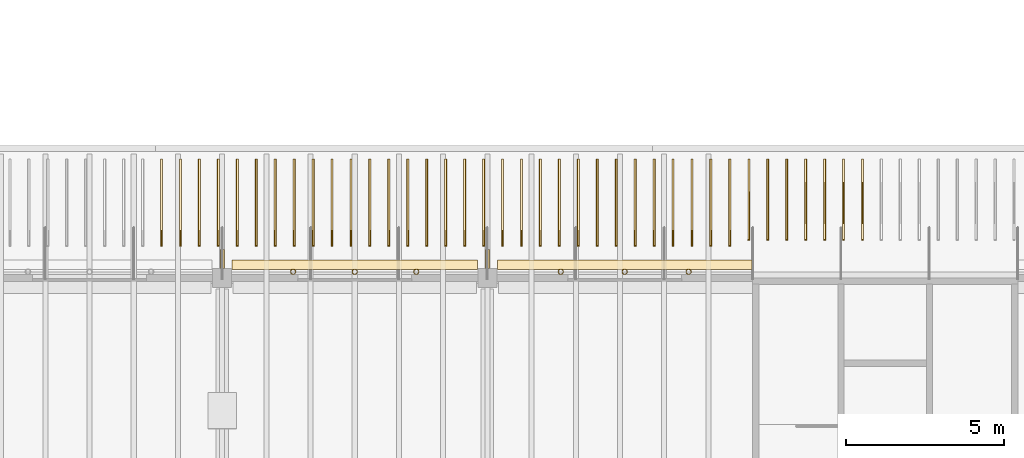
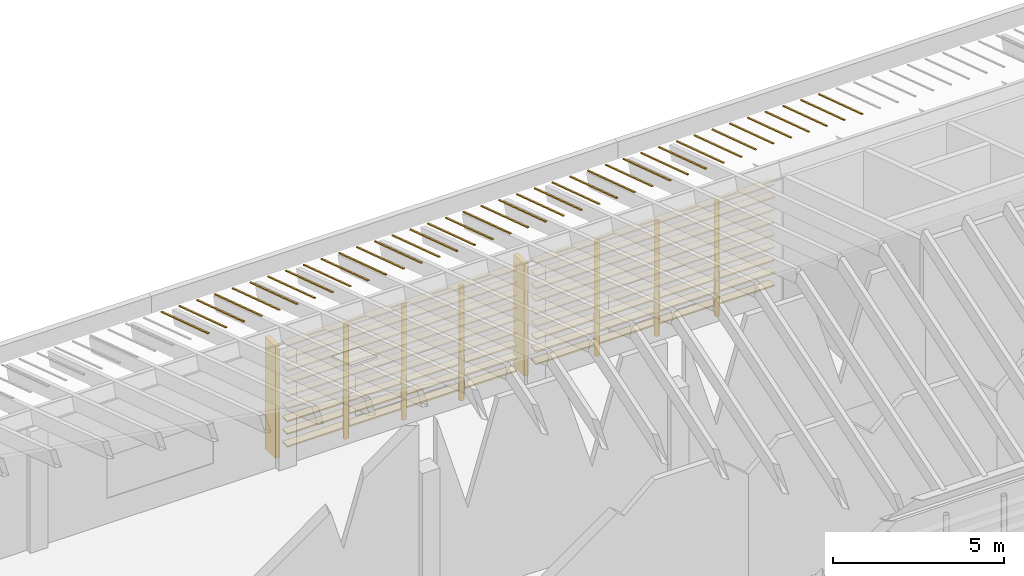
# One storey, part 42 of 59: 56 coverings, 8 shading devices.
"""IFC4 building model written with IfcOpenShell, lengths in metres."""

from ifc_helpers import new_model, si_unit, direction, frame, origin, origin_2d, place, context, subcontext, project, spatial, polyline, rectangle, hollow_circle, outline, extrude, material, layer, layer_set, material_profile, profile_set, type_object, element, save


model = new_model("IFC4")

# Units and contexts
model_context = context("Model", 3, precision=1e-05, world=origin(), true_north=direction((0.0, 1.0)))
body_context = subcontext(model_context, "Body", "Model", "MODEL_VIEW")
ifc_project = project(units=[si_unit("LENGTHUNIT", "METRE"), si_unit("AREAUNIT", "SQUARE_METRE"), si_unit("VOLUMEUNIT", "CUBIC_METRE"), si_unit("PLANEANGLEUNIT", "RADIAN"), si_unit("MASSUNIT", "GRAM", prefix="KILO")], contexts=[model_context])

# Site, building, storey
site_placement = place(None, origin())
site = spatial("IfcSite", under=ifc_project, at=site_placement, CompositionType="ELEMENT")
building_placement = place(site_placement, origin())
building = spatial("IfcBuilding", under=site, at=building_placement, Name="Almond Square Museum", CompositionType="ELEMENT")
storey_placement = place(building_placement, frame((0.0, 0.0, 25.0)))
storey = spatial("IfcBuildingStorey", under=building, at=storey_placement, Name="L04", CompositionType="ELEMENT", Elevation=25.0)

# Shading devices
ifc_material_1 = material(Name="Structural steel S355", Category="steel")
ifc_material_profile_1 = material_profile(ifc_material_1, hollow_circle(Radius=0.084228515625, WallThickness=0.008056640625, at=origin_2d()))
ifc_profile_set_1 = profile_set([ifc_material_profile_1], Name="Structural steel S355")
shading_device_type_1 = type_object("IfcShadingDeviceType", Name="Louvre post CHS 168.3 x 8", PredefinedType="USERDEFINED", material=ifc_profile_set_1)
for number, where, z_axis, x_axis, name in (
    (1, (50.324951171875, 16.994140625, 0.0), (0.0, 0.0, 1.0), (1.0, 0.0, 0.0), "Louvre screen post"),
    (2, (52.35009765625, 16.994140625, 0.0), (0.0, 0.0, 1.0), (1.0, 0.0, 0.0), "Louvre screen post"),
    (3, (54.375, 16.994140625, 0.0), (0.0, 0.0, 1.0), (1.0, 0.0, 0.0), "Louvre screen post"),
    (4, (41.85009765625, 16.994140625, 0.0), (0.0, 0.0, 1.0), (1.0, 0.0, 0.0), "Louvre screen post"),
    (5, (43.800048828125, 16.994140625, 0.0), (0.0, 0.0, 1.0), (1.0, 0.0, 0.0), "Louvre screen post"),
    (6, (45.75, 16.994140625, 0.0), (0.0, 0.0, 1.0), (1.0, 0.0, 0.0), "Louvre screen post"),
):
    element("IfcShadingDevice", number, at=place(storey_placement, frame(where, z_axis=z_axis, x_axis=x_axis)), inside=storey, type_object=shading_device_type_1, Name=name, ObjectType="POST", PredefinedType="USERDEFINED", context=body_context, shape_type="SweptSolid", body=[
        extrude(hollow_circle(Radius=0.084228515625, WallThickness=0.008056640625, at=origin_2d()), origin(), (0.0, 0.0, 1.0), 4.08447265625),
    ])

# Coverings
ifc_material_2 = material(Name="Cedar timber louvre board", Category="wood")
ifc_material_profile_2 = material_profile(ifc_material_2, rectangle(XDim=0.300048828125, YDim=0.050048828125, at=origin_2d()))
ifc_profile_set_2 = profile_set([ifc_material_profile_2], Name="Cedar timber louvre board")
covering_type_1 = type_object("IfcCoveringType", Name="Louvre screen board 300 x 50", PredefinedType="CLADDING", material=ifc_profile_set_2)
for number, where, z_axis, x_axis, name in (
    (7, (48.320068359375, 17.224365234375, 0.300048828125), (1.0, 0.0, 0.0), (0.0, 1.0, 0.0), "Louvre screen board"),
    (8, (48.320068359375, 17.224365234375, 0.75), (1.0, 0.0, 0.0), (0.0, 1.0, 0.0), "Louvre screen board"),
    (9, (48.320068359375, 17.224365234375, 1.199951171875), (1.0, 0.0, 0.0), (0.0, 1.0, 0.0), "Louvre screen board"),
    (10, (48.320068359375, 17.224365234375, 1.64990234375), (1.0, 0.0, 0.0), (0.0, 1.0, 0.0), "Louvre screen board"),
    (11, (48.320068359375, 17.224365234375, 2.10009765625), (1.0, 0.0, 0.0), (0.0, 1.0, 0.0), "Louvre screen board"),
    (12, (48.320068359375, 17.224365234375, 2.550048828125), (1.0, 0.0, 0.0), (0.0, 1.0, 0.0), "Louvre screen board"),
    (13, (48.320068359375, 17.224365234375, 3.0), (1.0, 0.0, 0.0), (0.0, 1.0, 0.0), "Louvre screen board"),
    (14, (48.320068359375, 17.224365234375, 3.449951171875), (1.0, 0.0, 0.0), (0.0, 1.0, 0.0), "Louvre screen board"),
    (15, (48.320068359375, 17.224365234375, 3.89990234375), (1.0, 0.0, 0.0), (0.0, 1.0, 0.0), "Louvre screen board"),
):
    element("IfcCovering", number, at=place(storey_placement, frame(where, z_axis=z_axis, x_axis=x_axis)), inside=storey, type_object=covering_type_1, Name=name, PredefinedType="CLADDING", context=body_context, shape_type="SweptSolid", body=[
        extrude(rectangle(XDim=0.300048828125, YDim=0.050048828125, at=origin_2d()), origin(), (0.0, 0.0, 1.0), 8.059814453125),
    ])
for number, where, z_axis, x_axis, name in (
    (16, (39.919921875, 17.224365234375, 0.300048828125), (1.0, 0.0, 0.0), (0.0, 1.0, 0.0), "Louvre screen board"),
    (17, (39.919921875, 17.224365234375, 0.75), (1.0, 0.0, 0.0), (0.0, 1.0, 0.0), "Louvre screen board"),
    (18, (39.919921875, 17.224365234375, 1.199951171875), (1.0, 0.0, 0.0), (0.0, 1.0, 0.0), "Louvre screen board"),
    (19, (39.919921875, 17.224365234375, 1.64990234375), (1.0, 0.0, 0.0), (0.0, 1.0, 0.0), "Louvre screen board"),
    (20, (39.919921875, 17.224365234375, 2.10009765625), (1.0, 0.0, 0.0), (0.0, 1.0, 0.0), "Louvre screen board"),
    (21, (39.919921875, 17.224365234375, 2.550048828125), (1.0, 0.0, 0.0), (0.0, 1.0, 0.0), "Louvre screen board"),
    (22, (39.919921875, 17.224365234375, 3.0), (1.0, 0.0, 0.0), (0.0, 1.0, 0.0), "Louvre screen board"),
    (23, (39.919921875, 17.224365234375, 3.449951171875), (1.0, 0.0, 0.0), (0.0, 1.0, 0.0), "Louvre screen board"),
    (24, (39.919921875, 17.224365234375, 3.89990234375), (1.0, 0.0, 0.0), (0.0, 1.0, 0.0), "Louvre screen board"),
):
    element("IfcCovering", number, at=place(storey_placement, frame(where, z_axis=z_axis, x_axis=x_axis)), inside=storey, type_object=covering_type_1, Name=name, PredefinedType="CLADDING", context=body_context, shape_type="SweptSolid", body=[
        extrude(rectangle(XDim=0.300048828125, YDim=0.050048828125, at=origin_2d()), origin(), (0.0, 0.0, 1.0), 7.760009765625),
    ])
ifc_material_3 = material(Name="Zinc standing seam")
ifc_layer = layer(ifc_material_3, 0.0400390625)
ifc_layer_set = layer_set([ifc_layer], Name="Zinc standing seam")
covering_type_2 = type_object("IfcCoveringType", Name="Roof standing seam rib 60 x 40", PredefinedType="CLADDING", material=ifc_layer_set)
for number, where, z_axis, x_axis, name in (
    (25, (37.7099609375, 17.800048828125, 4.675048828125), (0.0, 0.309024978252, 0.951053922139), (0.0, 0.951053922139, -0.309024978252), "Roof standing seam rib"),
    (26, (38.31005859375, 17.800048828125, 4.675048828125), (0.0, 0.309024978252, 0.951053922139), (0.0, 0.951053922139, -0.309024978252), "Roof standing seam rib"),
):
    element("IfcCovering", number, at=place(storey_placement, frame(where, z_axis=z_axis, x_axis=x_axis)), inside=storey, type_object=covering_type_2, Name=name, PredefinedType="CLADDING", context=body_context, shape_type="SweptSolid", body=[
        extrude(outline(polyline([(0.0, 0.0), (2.891529003754454, 0.0), (2.891529003754454, 0.06005859375), (0.0, 0.06005859375), (0.0, 0.0)])), origin(), (0.0, 0.0, 1.0), 0.0400390625),
    ])
covering_1_placement = place(storey_placement, frame((38.909912109375, 17.800048828125, 4.675048828125), z_axis=(0.0, 0.309024978252, 0.951053922139), x_axis=(0.0, 0.951053922139, -0.309024978252)))
element("IfcCovering", 27, at=covering_1_placement, inside=storey, type_object=covering_type_2, Name="Roof standing seam rib", PredefinedType="CLADDING", context=body_context, shape_type="SweptSolid", body=[
    extrude(outline(polyline([(0.0, 0.0), (2.891529003754454, 0.0), (2.891529003754454, 0.059814453125), (0.0, 0.059814453125), (0.0, 0.0)])), origin(), (0.0, 0.0, 1.0), 0.0400390625),
])
for number, where, z_axis, x_axis, name in (
    (28, (39.510009765625, 17.800048828125, 4.675048828125), (0.0, 0.309024978252, 0.951053922139), (0.0, 0.951053922139, -0.309024978252), "Roof standing seam rib"),
    (29, (40.110107421875, 17.800048828125, 4.675048828125), (0.0, 0.309024978252, 0.951053922139), (0.0, 0.951053922139, -0.309024978252), "Roof standing seam rib"),
    (30, (40.7099609375, 17.800048828125, 4.675048828125), (0.0, 0.309024978252, 0.951053922139), (0.0, 0.951053922139, -0.309024978252), "Roof standing seam rib"),
    (31, (41.31005859375, 17.800048828125, 4.675048828125), (0.0, 0.309024978252, 0.951053922139), (0.0, 0.951053922139, -0.309024978252), "Roof standing seam rib"),
):
    element("IfcCovering", number, at=place(storey_placement, frame(where, z_axis=z_axis, x_axis=x_axis)), inside=storey, type_object=covering_type_2, Name=name, PredefinedType="CLADDING", context=body_context, shape_type="SweptSolid", body=[
        extrude(outline(polyline([(0.0, 0.0), (2.891529003754454, 0.0), (2.891529003754454, 0.06005859375), (0.0, 0.06005859375), (0.0, 0.0)])), origin(), (0.0, 0.0, 1.0), 0.0400390625),
    ])
covering_2_placement = place(storey_placement, frame((41.909912109375, 17.800048828125, 4.675048828125), z_axis=(0.0, 0.309024978252, 0.951053922139), x_axis=(0.0, 0.951053922139, -0.309024978252)))
element("IfcCovering", 32, at=covering_2_placement, inside=storey, type_object=covering_type_2, Name="Roof standing seam rib", PredefinedType="CLADDING", context=body_context, shape_type="SweptSolid", body=[
    extrude(outline(polyline([(0.0, 0.0), (2.891529003754454, 0.0), (2.891529003754454, 0.059814453125), (0.0, 0.059814453125), (0.0, 0.0)])), origin(), (0.0, 0.0, 1.0), 0.0400390625),
])
for number, where, z_axis, x_axis, name in (
    (33, (42.510009765625, 17.800048828125, 4.675048828125), (0.0, 0.309024978252, 0.951053922139), (0.0, 0.951053922139, -0.309024978252), "Roof standing seam rib"),
    (34, (43.110107421875, 17.800048828125, 4.675048828125), (0.0, 0.309024978252, 0.951053922139), (0.0, 0.951053922139, -0.309024978252), "Roof standing seam rib"),
    (35, (43.7099609375, 17.800048828125, 4.675048828125), (0.0, 0.309024978252, 0.951053922139), (0.0, 0.951053922139, -0.309024978252), "Roof standing seam rib"),
    (36, (44.31005859375, 17.800048828125, 4.675048828125), (0.0, 0.309024978252, 0.951053922139), (0.0, 0.951053922139, -0.309024978252), "Roof standing seam rib"),
):
    element("IfcCovering", number, at=place(storey_placement, frame(where, z_axis=z_axis, x_axis=x_axis)), inside=storey, type_object=covering_type_2, Name=name, PredefinedType="CLADDING", context=body_context, shape_type="SweptSolid", body=[
        extrude(outline(polyline([(0.0, 0.0), (2.891529003754454, 0.0), (2.891529003754454, 0.06005859375), (0.0, 0.06005859375), (0.0, 0.0)])), origin(), (0.0, 0.0, 1.0), 0.0400390625),
    ])
covering_3_placement = place(storey_placement, frame((44.909912109375, 17.800048828125, 4.675048828125), z_axis=(0.0, 0.309024978252, 0.951053922139), x_axis=(0.0, 0.951053922139, -0.309024978252)))
element("IfcCovering", 37, at=covering_3_placement, inside=storey, type_object=covering_type_2, Name="Roof standing seam rib", PredefinedType="CLADDING", context=body_context, shape_type="SweptSolid", body=[
    extrude(outline(polyline([(0.0, 0.0), (2.891529003754454, 0.0), (2.891529003754454, 0.059814453125), (0.0, 0.059814453125), (0.0, 0.0)])), origin(), (0.0, 0.0, 1.0), 0.0400390625),
])
for number, where, z_axis, x_axis, name in (
    (38, (45.510009765625, 17.800048828125, 4.675048828125), (0.0, 0.309024978252, 0.951053922139), (0.0, 0.951053922139, -0.309024978252), "Roof standing seam rib"),
    (39, (46.110107421875, 17.800048828125, 4.675048828125), (0.0, 0.309024978252, 0.951053922139), (0.0, 0.951053922139, -0.309024978252), "Roof standing seam rib"),
    (40, (46.7099609375, 17.800048828125, 4.675048828125), (0.0, 0.309024978252, 0.951053922139), (0.0, 0.951053922139, -0.309024978252), "Roof standing seam rib"),
    (41, (47.31005859375, 17.800048828125, 4.675048828125), (0.0, 0.309024978252, 0.951053922139), (0.0, 0.951053922139, -0.309024978252), "Roof standing seam rib"),
):
    element("IfcCovering", number, at=place(storey_placement, frame(where, z_axis=z_axis, x_axis=x_axis)), inside=storey, type_object=covering_type_2, Name=name, PredefinedType="CLADDING", context=body_context, shape_type="SweptSolid", body=[
        extrude(outline(polyline([(0.0, 0.0), (2.891529003754454, 0.0), (2.891529003754454, 0.06005859375), (0.0, 0.06005859375), (0.0, 0.0)])), origin(), (0.0, 0.0, 1.0), 0.0400390625),
    ])
covering_4_placement = place(storey_placement, frame((47.909912109375, 17.800048828125, 4.675048828125), z_axis=(0.0, 0.309024978252, 0.951053922139), x_axis=(0.0, 0.951053922139, -0.309024978252)))
element("IfcCovering", 42, at=covering_4_placement, inside=storey, type_object=covering_type_2, Name="Roof standing seam rib", PredefinedType="CLADDING", context=body_context, shape_type="SweptSolid", body=[
    extrude(outline(polyline([(0.0, 0.0), (2.891529003754454, 0.0), (2.891529003754454, 0.059814453125), (0.0, 0.059814453125), (0.0, 0.0)])), origin(), (0.0, 0.0, 1.0), 0.0400390625),
])
for number, where, z_axis, x_axis, name in (
    (43, (48.510009765625, 17.800048828125, 4.675048828125), (0.0, 0.309024978252, 0.951053922139), (0.0, 0.951053922139, -0.309024978252), "Roof standing seam rib"),
    (44, (49.110107421875, 17.800048828125, 4.675048828125), (0.0, 0.309024978252, 0.951053922139), (0.0, 0.951053922139, -0.309024978252), "Roof standing seam rib"),
    (45, (49.7099609375, 17.800048828125, 4.675048828125), (0.0, 0.309024978252, 0.951053922139), (0.0, 0.951053922139, -0.309024978252), "Roof standing seam rib"),
    (46, (50.31005859375, 17.800048828125, 4.675048828125), (0.0, 0.309024978252, 0.951053922139), (0.0, 0.951053922139, -0.309024978252), "Roof standing seam rib"),
):
    element("IfcCovering", number, at=place(storey_placement, frame(where, z_axis=z_axis, x_axis=x_axis)), inside=storey, type_object=covering_type_2, Name=name, PredefinedType="CLADDING", context=body_context, shape_type="SweptSolid", body=[
        extrude(outline(polyline([(0.0, 0.0), (2.891529003754454, 0.0), (2.891529003754454, 0.06005859375), (0.0, 0.06005859375), (0.0, 0.0)])), origin(), (0.0, 0.0, 1.0), 0.0400390625),
    ])
covering_5_placement = place(storey_placement, frame((50.909912109375, 17.800048828125, 4.675048828125), z_axis=(0.0, 0.309024978252, 0.951053922139), x_axis=(0.0, 0.951053922139, -0.309024978252)))
element("IfcCovering", 47, at=covering_5_placement, inside=storey, type_object=covering_type_2, Name="Roof standing seam rib", PredefinedType="CLADDING", context=body_context, shape_type="SweptSolid", body=[
    extrude(outline(polyline([(0.0, 0.0), (2.891529003754454, 0.0), (2.891529003754454, 0.059814453125), (0.0, 0.059814453125), (0.0, 0.0)])), origin(), (0.0, 0.0, 1.0), 0.0400390625),
])
for number, where, z_axis, x_axis, name in (
    (48, (51.510009765625, 17.800048828125, 4.675048828125), (0.0, 0.309024978252, 0.951053922139), (0.0, 0.951053922139, -0.309024978252), "Roof standing seam rib"),
    (49, (52.110107421875, 17.800048828125, 4.675048828125), (0.0, 0.309024978252, 0.951053922139), (0.0, 0.951053922139, -0.309024978252), "Roof standing seam rib"),
    (50, (52.7099609375, 17.800048828125, 4.675048828125), (0.0, 0.309024978252, 0.951053922139), (0.0, 0.951053922139, -0.309024978252), "Roof standing seam rib"),
    (51, (53.31005859375, 17.800048828125, 4.675048828125), (0.0, 0.309024978252, 0.951053922139), (0.0, 0.951053922139, -0.309024978252), "Roof standing seam rib"),
):
    element("IfcCovering", number, at=place(storey_placement, frame(where, z_axis=z_axis, x_axis=x_axis)), inside=storey, type_object=covering_type_2, Name=name, PredefinedType="CLADDING", context=body_context, shape_type="SweptSolid", body=[
        extrude(outline(polyline([(0.0, 0.0), (2.891529003754454, 0.0), (2.891529003754454, 0.06005859375), (0.0, 0.06005859375), (0.0, 0.0)])), origin(), (0.0, 0.0, 1.0), 0.0400390625),
    ])
covering_6_placement = place(storey_placement, frame((53.909912109375, 17.800048828125, 4.675048828125), z_axis=(0.0, 0.309024978252, 0.951053922139), x_axis=(0.0, 0.951053922139, -0.309024978252)))
element("IfcCovering", 52, at=covering_6_placement, inside=storey, type_object=covering_type_2, Name="Roof standing seam rib", PredefinedType="CLADDING", context=body_context, shape_type="SweptSolid", body=[
    extrude(outline(polyline([(0.0, 0.0), (2.891529003754454, 0.0), (2.891529003754454, 0.059814453125), (0.0, 0.059814453125), (0.0, 0.0)])), origin(), (0.0, 0.0, 1.0), 0.0400390625),
])
for number, where, z_axis, x_axis, name in (
    (53, (54.510009765625, 17.800048828125, 4.675048828125), (0.0, 0.309024978252, 0.951053922139), (0.0, 0.951053922139, -0.309024978252), "Roof standing seam rib"),
    (54, (55.110107421875, 17.800048828125, 4.675048828125), (0.0, 0.309024978252, 0.951053922139), (0.0, 0.951053922139, -0.309024978252), "Roof standing seam rib"),
    (55, (55.7099609375, 17.800048828125, 4.675048828125), (0.0, 0.309024978252, 0.951053922139), (0.0, 0.951053922139, -0.309024978252), "Roof standing seam rib"),
):
    element("IfcCovering", number, at=place(storey_placement, frame(where, z_axis=z_axis, x_axis=x_axis)), inside=storey, type_object=covering_type_2, Name=name, PredefinedType="CLADDING", context=body_context, shape_type="SweptSolid", body=[
        extrude(outline(polyline([(0.0, 0.0), (2.891529003754454, 0.0), (2.891529003754454, 0.06005859375), (0.0, 0.06005859375), (0.0, 0.0)])), origin(), (0.0, 0.0, 1.0), 0.0400390625),
    ])
covering_7_placement = place(storey_placement, frame((56.31005859375, 20.550048828125, 3.781494140625), z_axis=(-0.000239148549, 0.309041926607, 0.951048384893), x_axis=(-0.999999971404, -7.390693e-05, -0.000227441848)))
element("IfcCovering", 56, at=covering_7_placement, inside=storey, type_object=covering_type_2, Name="Roof standing seam rib", PredefinedType="CLADDING", context=body_context, shape_type="SweptSolid", body=[
    extrude(outline(polyline([(0.0, 0.0), (0.06005859203256358, -8.139457227521792e-22), (0.06005859546743648, 2.692336587398116), (-3.4348728990231045e-09, 2.6859282510246354), (0.0, 0.0)])), origin(), (0.0, 0.0, 1.0), 0.0400390625),
])
covering_8_placement = place(storey_placement, frame((56.909912109375, 18.0, 4.610107421875), z_axis=(0.0, 0.309034600312, 0.951050795599), x_axis=(0.0, 0.951050795599, -0.309034600312)))
element("IfcCovering", 57, at=covering_8_placement, inside=storey, type_object=covering_type_2, Name="Roof standing seam rib", PredefinedType="CLADDING", context=body_context, shape_type="SweptSolid", body=[
    extrude(outline(polyline([(0.0, 0.0), (2.6812961409895735, 0.0), (2.6812961409895735, 0.059814453125), (0.0, 0.059814453125), (0.0, 0.0)])), origin(), (0.0, 0.0, 1.0), 0.0400390625),
])
for number, where, z_axis, x_axis, name in (
    (58, (57.510009765625, 18.0, 4.610107421875), (0.0, 0.309034600312, 0.951050795599), (0.0, 0.951050795599, -0.309034600312), "Roof standing seam rib"),
    (59, (58.110107421875, 18.0, 4.610107421875), (0.0, 0.309034600312, 0.951050795599), (0.0, 0.951050795599, -0.309034600312), "Roof standing seam rib"),
    (60, (58.7099609375, 18.0, 4.610107421875), (0.0, 0.309034600312, 0.951050795599), (0.0, 0.951050795599, -0.309034600312), "Roof standing seam rib"),
    (61, (59.31005859375, 18.0, 4.610107421875), (0.0, 0.309034600312, 0.951050795599), (0.0, 0.951050795599, -0.309034600312), "Roof standing seam rib"),
):
    element("IfcCovering", number, at=place(storey_placement, frame(where, z_axis=z_axis, x_axis=x_axis)), inside=storey, type_object=covering_type_2, Name=name, PredefinedType="CLADDING", context=body_context, shape_type="SweptSolid", body=[
        extrude(outline(polyline([(0.0, 0.0), (2.6812961409895735, 0.0), (2.6812961409895735, 0.060058593750000014), (0.0, 0.060058593750000014), (0.0, 0.0)])), origin(), (0.0, 0.0, 1.0), 0.0400390625),
    ])
covering_9_placement = place(storey_placement, frame((59.909912109375, 18.0, 4.610107421875), z_axis=(0.0, 0.309034600312, 0.951050795599), x_axis=(0.0, 0.951050795599, -0.309034600312)))
element("IfcCovering", 62, at=covering_9_placement, inside=storey, type_object=covering_type_2, Name="Roof standing seam rib", PredefinedType="CLADDING", context=body_context, shape_type="SweptSolid", body=[
    extrude(outline(polyline([(0.0, 0.0), (2.6812961409895735, 0.0), (2.6812961409895735, 0.059814453125), (0.0, 0.059814453125), (0.0, 0.0)])), origin(), (0.0, 0.0, 1.0), 0.0400390625),
])

# Shading devices
ifc_material_4 = material(Name="Cedar timber fin", Category="wood")
shading_device_type_2 = type_object("IfcShadingDeviceType", Name="Timber storm fin 150 x 600", PredefinedType="USERDEFINED", material=ifc_material_4)
for number, where, z_axis, x_axis, name in (
    (63, (39.60009765625, 17.39990234375, 0.0), (0.0, 0.0, 1.0), (1.0, 0.0, 0.0), "Timber storm fin"),
    (64, (48.0, 17.39990234375, 0.0), (0.0, 0.0, 1.0), (1.0, 0.0, 0.0), "Timber storm fin"),
):
    element("IfcShadingDevice", number, at=place(storey_placement, frame(where, z_axis=z_axis, x_axis=x_axis)), inside=storey, type_object=shading_device_type_2, Name=name, ObjectType="FIN", PredefinedType="USERDEFINED", context=body_context, shape_type="SweptSolid", body=[
        extrude(rectangle(XDim=0.14990234375, YDim=0.60009765625, at=origin_2d()), origin(), (0.0, 0.0, 1.0), 4.007568359375),
    ])

save(model, "model.ifc")
